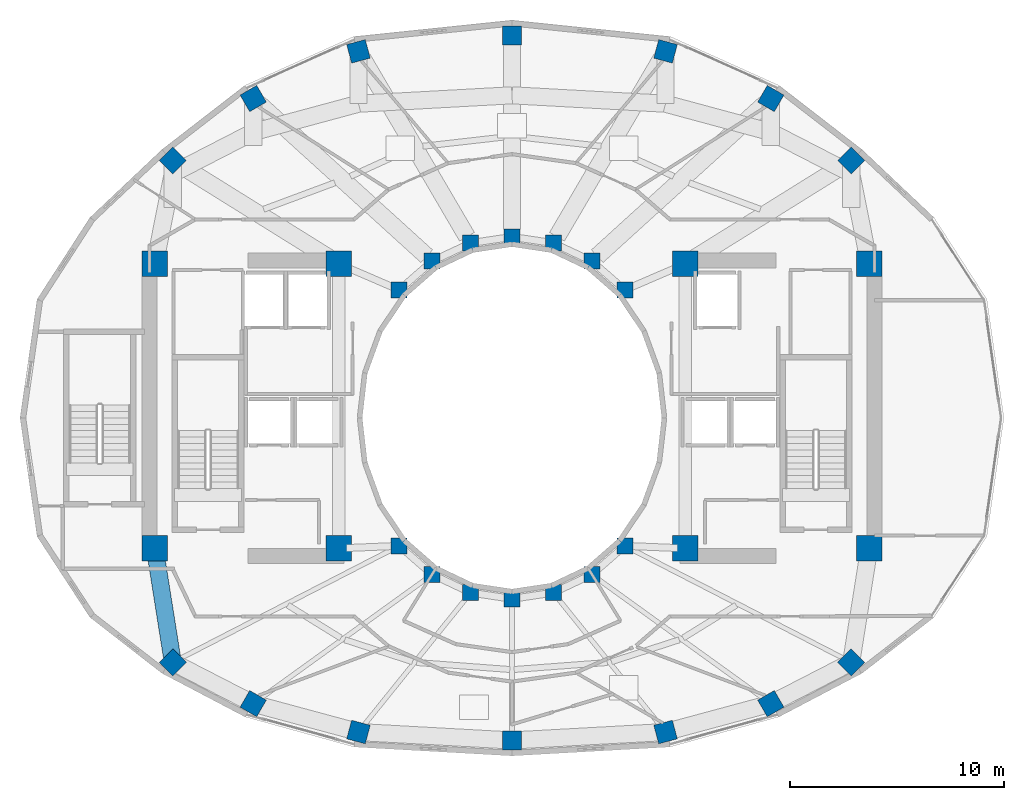
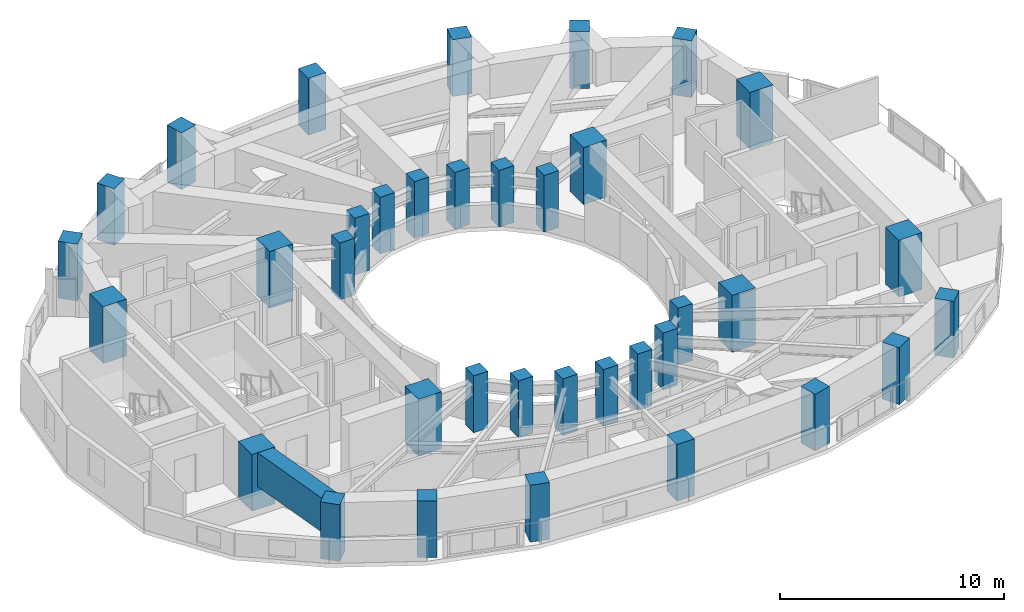
# One storey, part 1 of 20: 36 columns, 1 beam.
"""IFC4 building model written with IfcOpenShell, lengths in metres."""

from ifc_helpers import new_model, si_unit, direction, frame, origin, origin_2d, place, context, subcontext, project, spatial, rectangle, extrude, material, material_profile, profile_set, type_object, element, save


model = new_model("IFC4")

# Units and contexts
model_context = context("Model", 3, precision=1e-05, world=origin(), true_north=direction((0.0, 1.0)))
body_context = subcontext(model_context, "Body", "Model", "MODEL_VIEW")
ifc_project = project(units=[si_unit("LENGTHUNIT", "METRE"), si_unit("AREAUNIT", "SQUARE_METRE"), si_unit("VOLUMEUNIT", "CUBIC_METRE"), si_unit("PLANEANGLEUNIT", "RADIAN"), si_unit("MASSUNIT", "GRAM", prefix="KILO")], contexts=[model_context])

# Site, building, storey
site_placement = place(None, origin())
site = spatial("IfcSite", under=ifc_project, at=site_placement, CompositionType="ELEMENT")
building_placement = place(site_placement, origin())
building = spatial("IfcBuilding", under=site, at=building_placement, Name="Solvane Sanctuary Tower", CompositionType="ELEMENT")
storey_placement = place(building_placement, frame((0.0, 0.0, 159.10009765625)))
storey = spatial("IfcBuildingStorey", under=building, at=storey_placement, Name="L48", CompositionType="ELEMENT", Elevation=159.10009765625)

# Columns
ifc_material_1 = material(Name="Concrete C50/60", Category="concrete")
ifc_material_profile_1 = material_profile(ifc_material_1, rectangle(XDim=0.75, YDim=0.75, at=origin_2d()), Name="RC750X750")
ifc_profile_set_1 = profile_set([ifc_material_profile_1], Name="Concrete C50/60")
column_type_1 = type_object("IfcColumnType", Name="Column C-RING-Z3 RC750X750", PredefinedType="COLUMN", material=ifc_profile_set_1)
for number, where, z_axis, x_axis, name in (
    (1, (37.27490234375, 28.982177734375, 0.0), (0.0, 0.0, 1.0), (1.0, 0.0, 0.0), "L48 Inner Light-Well Ring Column IC01"),
    (2, (35.72998046875, 30.32666015625, 0.0), (0.0, 0.0, 1.0), (1.0, 0.0, 0.0), "L48 Inner Light-Well Ring Column IC02"),
    (3, (33.930908203125, 31.171630859375, 0.0), (0.0, 0.0, 1.0), (1.0, 0.0, 0.0), "L48 Inner Light-Well Ring Column IC03"),
    (4, (32.0, 31.4599609375, 0.0), (0.0, 0.0, 1.0), (1.0, 0.0, 0.0), "L48 Inner Light-Well Ring Column IC04"),
    (5, (30.069091796875, 31.171630859375, 0.0), (0.0, 0.0, 1.0), (1.0, 0.0, 0.0), "L48 Inner Light-Well Ring Column IC05"),
    (6, (28.27001953125, 30.32666015625, 0.0), (0.0, 0.0, 1.0), (1.0, 0.0, 0.0), "L48 Inner Light-Well Ring Column IC06"),
    (7, (26.72509765625, 28.982177734375, 0.0), (0.0, 0.0, 1.0), (1.0, 0.0, 0.0), "L48 Inner Light-Well Ring Column IC07"),
    (8, (26.72509765625, 17.017822265625, 0.0), (0.0, 0.0, 1.0), (1.0, 0.0, 0.0), "L48 Inner Light-Well Ring Column IC08"),
    (9, (28.27001953125, 15.67333984375, 0.0), (0.0, 0.0, 1.0), (1.0, 0.0, 0.0), "L48 Inner Light-Well Ring Column IC09"),
    (10, (30.069091796875, 14.828369140625, 0.0), (0.0, 0.0, 1.0), (1.0, 0.0, 0.0), "L48 Inner Light-Well Ring Column IC10"),
    (11, (32.0, 14.5400390625, 0.0), (0.0, 0.0, 1.0), (1.0, 0.0, 0.0), "L48 Inner Light-Well Ring Column IC11"),
    (12, (33.930908203125, 14.828369140625, 0.0), (0.0, 0.0, 1.0), (1.0, 0.0, 0.0), "L48 Inner Light-Well Ring Column IC12"),
    (13, (35.72998046875, 15.67333984375, 0.0), (0.0, 0.0, 1.0), (1.0, 0.0, 0.0), "L48 Inner Light-Well Ring Column IC13"),
    (14, (37.27490234375, 17.017822265625, 0.0), (0.0, 0.0, 1.0), (1.0, 0.0, 0.0), "L48 Inner Light-Well Ring Column IC14"),
):
    element("IfcColumn", number, at=place(storey_placement, frame(where, z_axis=z_axis, x_axis=x_axis)), inside=storey, type_object=column_type_1, Name=name, PredefinedType="COLUMN", context=body_context, shape_type="SweptSolid", body=[
        extrude(rectangle(XDim=0.75, YDim=0.75, at=origin_2d()), origin(), (0.0, 0.0, 1.0), 3.099853515625),
    ])
ifc_material_2 = material(Name="Concrete C70/85", Category="concrete")
ifc_material_profile_2 = material_profile(ifc_material_2, rectangle(XDim=1.199951171875, YDim=1.199951171875, at=origin_2d()), Name="RC1200X1200")
ifc_profile_set_2 = profile_set([ifc_material_profile_2], Name="Concrete C70/85")
column_type_2 = type_object("IfcColumnType", Name="Column C-TUBE-Z1 RC1200X1200", PredefinedType="COLUMN", material=ifc_profile_set_2)
for number, where, z_axis, x_axis, name in (
    (15, (15.300048828125, 16.89990234375, 0.0), (0.0, 0.0, 1.0), (1.0, 0.0, 0.0), "L48 Core Corner Column CW1"),
    (16, (23.89990234375, 16.89990234375, 0.0), (0.0, 0.0, 1.0), (1.0, 0.0, 0.0), "L48 Core Corner Column CW2"),
    (17, (23.89990234375, 30.199951171875, 0.0), (0.0, 0.0, 1.0), (1.0, 0.0, 0.0), "L48 Core Corner Column CW3"),
    (18, (15.300048828125, 30.199951171875, 0.0), (0.0, 0.0, 1.0), (1.0, 0.0, 0.0), "L48 Core Corner Column CW4"),
    (19, (40.10009765625, 16.89990234375, 0.0), (0.0, 0.0, 1.0), (1.0, 0.0, 0.0), "L48 Core Corner Column CE1"),
    (20, (48.699951171875, 16.89990234375, 0.0), (0.0, 0.0, 1.0), (1.0, 0.0, 0.0), "L48 Core Corner Column CE2"),
    (21, (48.699951171875, 30.199951171875, 0.0), (0.0, 0.0, 1.0), (1.0, 0.0, 0.0), "L48 Core Corner Column CE3"),
    (22, (40.10009765625, 30.199951171875, 0.0), (0.0, 0.0, 1.0), (1.0, 0.0, 0.0), "L48 Core Corner Column CE4"),
):
    element("IfcColumn", number, at=place(storey_placement, frame(where, z_axis=z_axis, x_axis=x_axis)), inside=storey, type_object=column_type_2, Name=name, PredefinedType="COLUMN", context=body_context, shape_type="SweptSolid", body=[
        extrude(rectangle(XDim=1.199951171875, YDim=1.199951171875, at=origin_2d()), origin(), (0.0, 0.0, 1.0), 3.099853515625),
    ])
ifc_material_3 = material(Name="Concrete C60/75", Category="concrete")
ifc_material_profile_3 = material_profile(ifc_material_3, rectangle(XDim=0.89990234375, YDim=0.89990234375, at=origin_2d()), Name="RC900X900")
ifc_profile_set_3 = profile_set([ifc_material_profile_3], Name="Concrete C60/75")
column_type_3 = type_object("IfcColumnType", Name="Column C-TUBE-Z3 RC900X900", PredefinedType="COLUMN", material=ifc_profile_set_3)
for number, where, z_axis, x_axis, name in (
    (23, (47.856689453125, 35.031005859375, 0.0), (0.0, 0.0, 1.0), (0.707106781187, 0.707106781187, 0.0), "L48 Perimeter Tube Column TC01"),
    (24, (44.09814453125, 37.927978515625, 0.0), (0.0, 0.0, 1.0), (0.5, 0.866025403784, 0.0), "L48 Perimeter Tube Column TC02"),
    (25, (39.17822265625, 40.134521484375, 0.0), (0.0, 0.0, 1.0), (0.258819045103, 0.965925826289, 0.0), "L48 Perimeter Tube Column TC03"),
    (26, (32.0, 40.8798828125, 0.0), (0.0, 0.0, 1.0), (0.0, 1.0, 0.0), "L48 Perimeter Tube Column TC04"),
    (27, (24.82177734375, 40.134521484375, 0.0), (0.0, 0.0, 1.0), (-0.258819045103, 0.965925826289, 0.0), "L48 Perimeter Tube Column TC05"),
    (28, (19.90185546875, 37.927978515625, 0.0), (0.0, 0.0, 1.0), (-0.5, 0.866025403784, 0.0), "L48 Perimeter Tube Column TC06"),
    (29, (16.143310546875, 35.031005859375, 0.0), (0.0, 0.0, 1.0), (-0.707106781187, 0.707106781187, 0.0), "L48 Perimeter Tube Column TC07"),
    (30, (16.143310546875, 11.573486328125, 0.0), (0.0, 0.0, 1.0), (-0.707106781187, -0.707106781187, 0.0), "L48 Perimeter Tube Column TC08"),
    (31, (19.90185546875, 9.640625, 0.0), (0.0, 0.0, 1.0), (-0.5, -0.866025403784, 0.0), "L48 Perimeter Tube Column TC09"),
    (32, (24.82177734375, 8.313232421875, 0.0), (0.0, 0.0, 1.0), (-0.258819045103, -0.965925826289, 0.0), "L48 Perimeter Tube Column TC10"),
    (33, (32.0, 7.919921875, 0.0), (0.0, 0.0, 1.0), (0.0, -1.0, 0.0), "L48 Perimeter Tube Column TC11"),
    (34, (39.17822265625, 8.313232421875, 0.0), (0.0, 0.0, 1.0), (0.258819045103, -0.965925826289, 0.0), "L48 Perimeter Tube Column TC12"),
    (35, (44.09814453125, 9.640625, 0.0), (0.0, 0.0, 1.0), (0.5, -0.866025403784, 0.0), "L48 Perimeter Tube Column TC13"),
    (36, (47.856689453125, 11.573486328125, 0.0), (0.0, 0.0, 1.0), (0.707106781187, -0.707106781187, 0.0), "L48 Perimeter Tube Column TC14"),
):
    element("IfcColumn", number, at=place(storey_placement, frame(where, z_axis=z_axis, x_axis=x_axis)), inside=storey, type_object=column_type_3, Name=name, PredefinedType="COLUMN", context=body_context, shape_type="SweptSolid", body=[
        extrude(rectangle(XDim=0.89990234375, YDim=0.89990234375, at=origin_2d()), origin(), (0.0, 0.0, 1.0), 3.099853515625),
    ])

# Beam
ifc_material_profile_4 = material_profile(ifc_material_2, rectangle(XDim=0.800048828125, YDim=1.85009765625, at=origin_2d()), Name="RC800X1850")
ifc_profile_set_4 = profile_set([ifc_material_profile_4], Name="Concrete C70/85")
beam_type = type_object("IfcBeamType", Name="Beam B-XFER-BLK RC800X1850", PredefinedType="BEAM", material=ifc_profile_set_4)
beam_placement = place(storey_placement, frame((15.356201171875, 16.54443359375, 2.1748046875), z_axis=(0.156393503441, -0.987694827404, 0.0), x_axis=(0.987694827404, 0.156393503441, 0.0)))
element("IfcBeam", 37, at=beam_placement, inside=storey, type_object=beam_type, Name="L48 Perimeter Step Transfer Ring CW1-NTC08", PredefinedType="BEAM", context=body_context, shape_type="SweptSolid", body=[
    extrude(rectangle(XDim=0.800048828125, YDim=1.85009765625, at=origin_2d()), origin(), (0.0, 0.0, 1.0), 5.032958984375),
])

save(model, "model.ifc")
